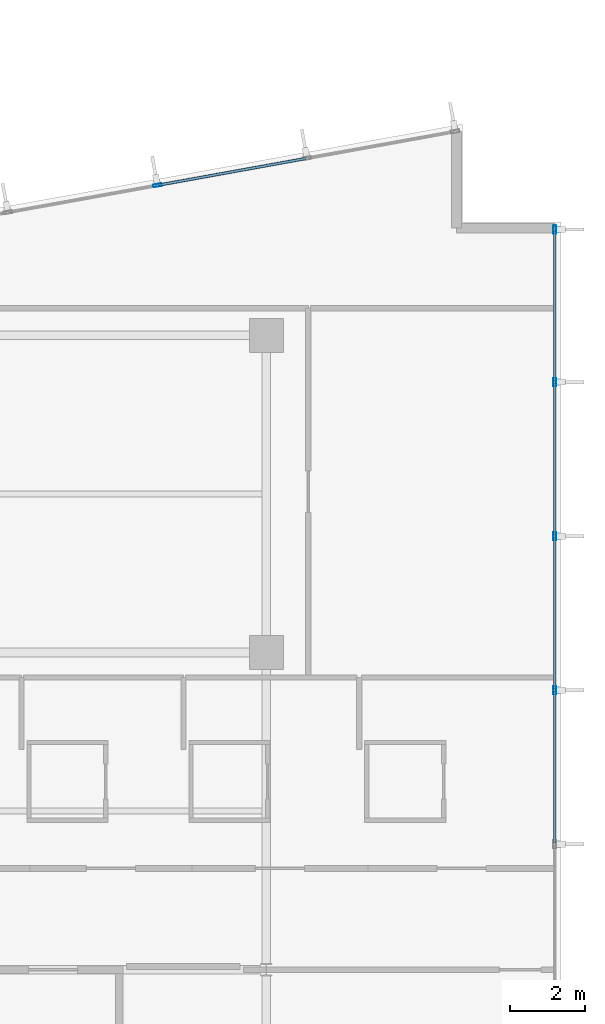
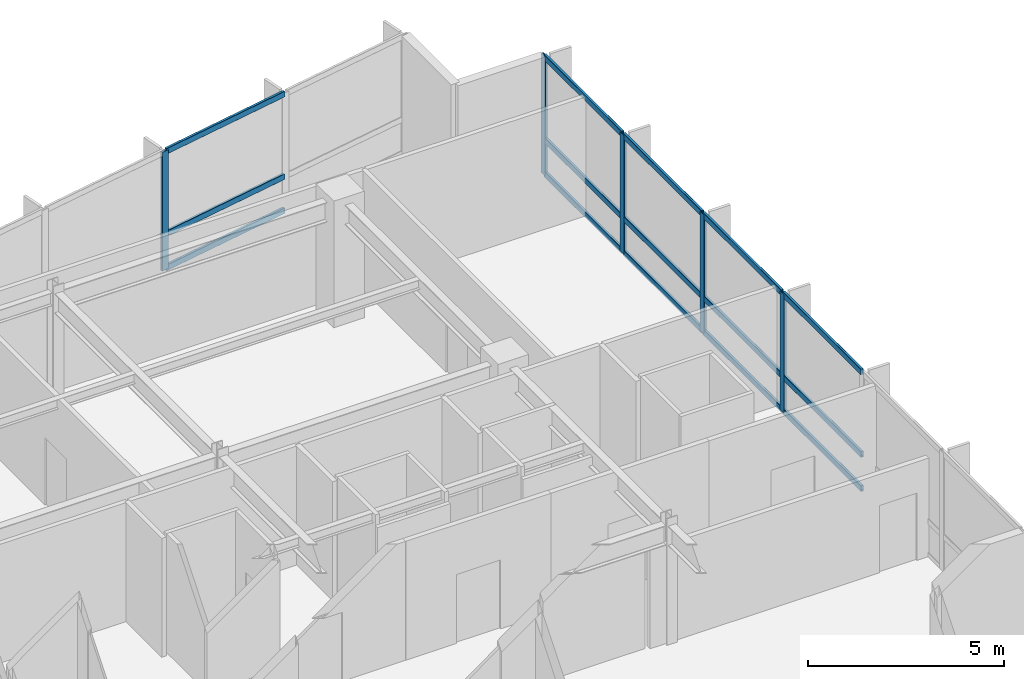
# One storey, part 8 of 20: 20 members, 2 elements without a shape of their own.
"""IFC4 building model written with IfcOpenShell, lengths in metres."""

from ifc_helpers import new_model, si_unit, direction, frame, origin, origin_2d, place, context, subcontext, project, spatial, hollow_rectangle, extrude, material, layer, layer_set, material_profile, profile_set, type_object, element, aggregate, save


model = new_model("IFC4")

# Units and contexts
model_context = context("Model", 3, precision=1e-05, world=origin(), true_north=direction((0.0, 1.0)))
body_context = subcontext(model_context, "Body", "Model", "MODEL_VIEW")
ifc_project = project(units=[si_unit("LENGTHUNIT", "METRE"), si_unit("AREAUNIT", "SQUARE_METRE"), si_unit("VOLUMEUNIT", "CUBIC_METRE"), si_unit("PLANEANGLEUNIT", "RADIAN"), si_unit("MASSUNIT", "GRAM", prefix="KILO")], contexts=[model_context])

# Site, building, storey
site_placement = place(None, origin())
site = spatial("IfcSite", under=ifc_project, at=site_placement, CompositionType="ELEMENT")
building_placement = place(site_placement, origin())
building = spatial("IfcBuilding", under=site, at=building_placement, Name="Varnakote Quay Hospital", CompositionType="ELEMENT")
storey_placement = place(building_placement, frame((0.0, 0.0, 81.75)))
storey = spatial("IfcBuildingStorey", under=building, at=storey_placement, Name="L20", CompositionType="ELEMENT", Elevation=81.75)

# Curtain wall, members
ifc_material_1 = material(Name="Anodised aluminium 6063-T6 Bronze", Category="aluminium")
ifc_layer = layer(ifc_material_1, 0.18994140625)
ifc_layer_set = layer_set([ifc_layer], Name="Anodised aluminium 6063-T6 Bronze")
curtain_wall_type = type_object("IfcCurtainWallType", Name="CW-SYS-2", PredefinedType="NOTDEFINED", material=ifc_layer_set)
curtain_wall_1_placement = place(storey_placement, origin())
curtain_wall_1 = element("IfcCurtainWall", 1, at=curtain_wall_1_placement, inside=storey, type_object=curtain_wall_type, Name="L20 Unitised Bronze Curtain Wall 1", PredefinedType="NOTDEFINED")
ifc_material_2 = material(Name="Anodised aluminium 6063-T6 Bronze", Category="aluminium")
ifc_material_profile_1 = material_profile(ifc_material_2, hollow_rectangle(XDim=0.074951171875, YDim=0.219970703125, WallThickness=0.00439453125, InnerFilletRadius=0.00439453125, OuterFilletRadius=0.009033203125, at=origin_2d()), Name="CW-MULL-220x75")
ifc_profile_set_1 = profile_set([ifc_material_profile_1], Name="Anodised aluminium 6063-T6 Bronze")
member_type_1 = type_object("IfcMemberType", Name="CW-MULL-220x75", PredefinedType="MULLION", material=ifc_profile_set_1)
member_1_placement = place(storey_placement, frame((58.0400390625, 19.39990234375, 0.0), z_axis=(0.0, 0.0, 1.0), x_axis=(-1.0, 0.0, 0.0)))
member_1 = element("IfcMember", 2, at=member_1_placement, type_object=member_type_1, Name="-2-L20-1 mullion 4", PredefinedType="MULLION", context=body_context, shape_type="SweptSolid", body=[
    extrude(hollow_rectangle(XDim=0.074951171875, YDim=0.219970703125, WallThickness=0.00439453125, InnerFilletRadius=0.00439453125, OuterFilletRadius=0.009033203125, at=origin_2d()), origin(), (0.0, 0.0, 1.0), 3.7099609375),
])
member_2_placement = place(storey_placement, frame((58.0400390625, 23.47998046875, 0.0), z_axis=(0.0, 0.0, 1.0), x_axis=(-1.0, 0.0, 0.0)))
member_2 = element("IfcMember", 3, at=member_2_placement, type_object=member_type_1, Name="-2-L20-1 mullion 5", PredefinedType="MULLION", context=body_context, shape_type="SweptSolid", body=[
    extrude(hollow_rectangle(XDim=0.074951171875, YDim=0.219970703125, WallThickness=0.00439453125, InnerFilletRadius=0.00439453125, OuterFilletRadius=0.009033203125, at=origin_2d()), origin(), (0.0, 0.0, 1.0), 3.7099609375),
])
member_3_placement = place(storey_placement, frame((58.0400390625, 27.56005859375, 0.0), z_axis=(0.0, 0.0, 1.0), x_axis=(-1.0, 0.0, 0.0)))
member_3 = element("IfcMember", 4, at=member_3_placement, type_object=member_type_1, Name="-2-L20-1 mullion 6", PredefinedType="MULLION", context=body_context, shape_type="SweptSolid", body=[
    extrude(hollow_rectangle(XDim=0.074951171875, YDim=0.219970703125, WallThickness=0.00439453125, InnerFilletRadius=0.00439453125, OuterFilletRadius=0.009033203125, at=origin_2d()), origin(), (0.0, 0.0, 1.0), 3.7099609375),
])
member_4_placement = place(storey_placement, frame((58.0400390625, 31.6025390625, 0.0), z_axis=(0.0, 0.0, 1.0), x_axis=(-1.0, 0.0, 0.0)))
member_4 = element("IfcMember", 5, at=member_4_placement, type_object=member_type_1, Name="-2-L20-1 mullion 7", PredefinedType="MULLION", context=body_context, shape_type="SweptSolid", body=[
    extrude(hollow_rectangle(XDim=0.074951171875, YDim=0.219970703125, WallThickness=0.00439453125, InnerFilletRadius=0.00439453125, OuterFilletRadius=0.009033203125, at=origin_2d()), origin(), (0.0, 0.0, 1.0), 3.7099609375),
])

# Curtain wall, member
curtain_wall_2_placement = place(storey_placement, origin())
curtain_wall_2 = element("IfcCurtainWall", 6, at=curtain_wall_2_placement, inside=storey, type_object=curtain_wall_type, Name="L20 Unitised Bronze Curtain Wall 2", PredefinedType="NOTDEFINED")
member_5_placement = place(storey_placement, frame((47.514892578125, 32.776123046875, 0.0), z_axis=(0.0, 0.0, 1.0), x_axis=(0.177846199098, -0.984058295766, 0.0)))
member_5 = element("IfcMember", 7, at=member_5_placement, type_object=member_type_1, Name="-2-L20-2 mullion 3", PredefinedType="MULLION", context=body_context, shape_type="SweptSolid", body=[
    extrude(hollow_rectangle(XDim=0.074951171875, YDim=0.219970703125, WallThickness=0.00439453125, InnerFilletRadius=0.00439453125, OuterFilletRadius=0.009033203125, at=origin_2d()), origin(), (0.0, 0.0, 1.0), 3.7099609375),
])

# Member
ifc_material_3 = material(Name="Anodised aluminium 6063-T6 Bronze", Category="aluminium")
ifc_material_profile_2 = material_profile(ifc_material_3, hollow_rectangle(XDim=0.074951171875, YDim=0.179931640625, WallThickness=0.004150390625, InnerFilletRadius=0.004150390625, OuterFilletRadius=0.00830078125, at=origin_2d()), Name="CW-TRAN-180x75")
ifc_profile_set_2 = profile_set([ifc_material_profile_2], Name="Anodised aluminium 6063-T6 Bronze")
member_type_2 = type_object("IfcMemberType", Name="CW-TRAN-180x75", PredefinedType="USERDEFINED", material=ifc_profile_set_2)
member_6_placement = place(storey_placement, frame((58.0400390625, 15.357421875, 0.03759765625), z_axis=(0.0, 1.0, 0.0), x_axis=(-1.0, 0.0, 0.0)))
member_6 = element("IfcMember", 8, at=member_6_placement, type_object=member_type_2, Name="-2-L20-1 transom 3.1", ObjectType="TRANSOM", PredefinedType="USERDEFINED", context=body_context, shape_type="SweptSolid", body=[
    extrude(hollow_rectangle(XDim=0.074951171875, YDim=0.179931640625, WallThickness=0.004150390625, InnerFilletRadius=0.004150390625, OuterFilletRadius=0.00830078125, at=origin_2d()), origin(), (0.0, 0.0, 1.0), 4.005126953125),
])

member_7_placement = place(storey_placement, frame((58.0400390625, 15.357421875, 1.10009765625), z_axis=(0.0, 1.0, 0.0), x_axis=(-1.0, 0.0, 0.0)))
member_7 = element("IfcMember", 9, at=member_7_placement, type_object=member_type_2, Name="-2-L20-1 transom 3.2", ObjectType="TRANSOM", PredefinedType="USERDEFINED", context=body_context, shape_type="SweptSolid", body=[
    extrude(hollow_rectangle(XDim=0.074951171875, YDim=0.179931640625, WallThickness=0.004150390625, InnerFilletRadius=0.004150390625, OuterFilletRadius=0.00830078125, at=origin_2d()), origin(), (0.0, 0.0, 1.0), 4.005126953125),
])

member_8_placement = place(storey_placement, frame((58.0400390625, 15.357421875, 3.672607421875), z_axis=(0.0, 1.0, 0.0), x_axis=(-1.0, 0.0, 0.0)))
member_8 = element("IfcMember", 10, at=member_8_placement, type_object=member_type_2, Name="-2-L20-1 transom 3.3", ObjectType="TRANSOM", PredefinedType="USERDEFINED", context=body_context, shape_type="SweptSolid", body=[
    extrude(hollow_rectangle(XDim=0.074951171875, YDim=0.179931640625, WallThickness=0.004150390625, InnerFilletRadius=0.004150390625, OuterFilletRadius=0.00830078125, at=origin_2d()), origin(), (0.0, 0.0, 1.0), 4.005126953125),
])

member_9_placement = place(storey_placement, frame((58.0400390625, 19.4375, 0.03759765625), z_axis=(0.0, 1.0, 0.0), x_axis=(-1.0, 0.0, 0.0)))
member_9 = element("IfcMember", 11, at=member_9_placement, type_object=member_type_2, Name="-2-L20-1 transom 4.1", ObjectType="TRANSOM", PredefinedType="USERDEFINED", context=body_context, shape_type="SweptSolid", body=[
    extrude(hollow_rectangle(XDim=0.074951171875, YDim=0.179931640625, WallThickness=0.004150390625, InnerFilletRadius=0.004150390625, OuterFilletRadius=0.00830078125, at=origin_2d()), origin(), (0.0, 0.0, 1.0), 4.0048828125),
])

member_10_placement = place(storey_placement, frame((58.0400390625, 19.4375, 1.10009765625), z_axis=(0.0, 1.0, 0.0), x_axis=(-1.0, 0.0, 0.0)))
member_10 = element("IfcMember", 12, at=member_10_placement, type_object=member_type_2, Name="-2-L20-1 transom 4.2", ObjectType="TRANSOM", PredefinedType="USERDEFINED", context=body_context, shape_type="SweptSolid", body=[
    extrude(hollow_rectangle(XDim=0.074951171875, YDim=0.179931640625, WallThickness=0.004150390625, InnerFilletRadius=0.004150390625, OuterFilletRadius=0.00830078125, at=origin_2d()), origin(), (0.0, 0.0, 1.0), 4.0048828125),
])

member_11_placement = place(storey_placement, frame((58.0400390625, 19.4375, 3.672607421875), z_axis=(0.0, 1.0, 0.0), x_axis=(-1.0, 0.0, 0.0)))
member_11 = element("IfcMember", 13, at=member_11_placement, type_object=member_type_2, Name="-2-L20-1 transom 4.3", ObjectType="TRANSOM", PredefinedType="USERDEFINED", context=body_context, shape_type="SweptSolid", body=[
    extrude(hollow_rectangle(XDim=0.074951171875, YDim=0.179931640625, WallThickness=0.004150390625, InnerFilletRadius=0.004150390625, OuterFilletRadius=0.00830078125, at=origin_2d()), origin(), (0.0, 0.0, 1.0), 4.0048828125),
])

member_12_placement = place(storey_placement, frame((58.0400390625, 23.517578125, 0.03759765625), z_axis=(0.0, 1.0, 0.0), x_axis=(-1.0, 0.0, 0.0)))
member_12 = element("IfcMember", 14, at=member_12_placement, type_object=member_type_2, Name="-2-L20-1 transom 5.1", ObjectType="TRANSOM", PredefinedType="USERDEFINED", context=body_context, shape_type="SweptSolid", body=[
    extrude(hollow_rectangle(XDim=0.074951171875, YDim=0.179931640625, WallThickness=0.004150390625, InnerFilletRadius=0.004150390625, OuterFilletRadius=0.00830078125, at=origin_2d()), origin(), (0.0, 0.0, 1.0), 4.0048828125),
])

member_13_placement = place(storey_placement, frame((58.0400390625, 23.517578125, 1.10009765625), z_axis=(0.0, 1.0, 0.0), x_axis=(-1.0, 0.0, 0.0)))
member_13 = element("IfcMember", 15, at=member_13_placement, type_object=member_type_2, Name="-2-L20-1 transom 5.2", ObjectType="TRANSOM", PredefinedType="USERDEFINED", context=body_context, shape_type="SweptSolid", body=[
    extrude(hollow_rectangle(XDim=0.074951171875, YDim=0.179931640625, WallThickness=0.004150390625, InnerFilletRadius=0.004150390625, OuterFilletRadius=0.00830078125, at=origin_2d()), origin(), (0.0, 0.0, 1.0), 4.0048828125),
])

member_14_placement = place(storey_placement, frame((58.0400390625, 23.517578125, 3.672607421875), z_axis=(0.0, 1.0, 0.0), x_axis=(-1.0, 0.0, 0.0)))
member_14 = element("IfcMember", 16, at=member_14_placement, type_object=member_type_2, Name="-2-L20-1 transom 5.3", ObjectType="TRANSOM", PredefinedType="USERDEFINED", context=body_context, shape_type="SweptSolid", body=[
    extrude(hollow_rectangle(XDim=0.074951171875, YDim=0.179931640625, WallThickness=0.004150390625, InnerFilletRadius=0.004150390625, OuterFilletRadius=0.00830078125, at=origin_2d()), origin(), (0.0, 0.0, 1.0), 4.0048828125),
])

member_15_placement = place(storey_placement, frame((58.0400390625, 27.597412109375, 0.03759765625), z_axis=(0.0, 1.0, 0.0), x_axis=(-1.0, 0.0, 0.0)))
member_15 = element("IfcMember", 17, at=member_15_placement, type_object=member_type_2, Name="-2-L20-1 transom 6.1", ObjectType="TRANSOM", PredefinedType="USERDEFINED", context=body_context, shape_type="SweptSolid", body=[
    extrude(hollow_rectangle(XDim=0.074951171875, YDim=0.179931640625, WallThickness=0.004150390625, InnerFilletRadius=0.004150390625, OuterFilletRadius=0.00830078125, at=origin_2d()), origin(), (0.0, 0.0, 1.0), 3.967529296875),
])

member_16_placement = place(storey_placement, frame((58.0400390625, 27.597412109375, 1.10009765625), z_axis=(0.0, 1.0, 0.0), x_axis=(-1.0, 0.0, 0.0)))
member_16 = element("IfcMember", 18, at=member_16_placement, type_object=member_type_2, Name="-2-L20-1 transom 6.2", ObjectType="TRANSOM", PredefinedType="USERDEFINED", context=body_context, shape_type="SweptSolid", body=[
    extrude(hollow_rectangle(XDim=0.074951171875, YDim=0.179931640625, WallThickness=0.004150390625, InnerFilletRadius=0.004150390625, OuterFilletRadius=0.00830078125, at=origin_2d()), origin(), (0.0, 0.0, 1.0), 3.967529296875),
])

member_17_placement = place(storey_placement, frame((58.0400390625, 27.597412109375, 3.672607421875), z_axis=(0.0, 1.0, 0.0), x_axis=(-1.0, 0.0, 0.0)))
member_17 = element("IfcMember", 19, at=member_17_placement, type_object=member_type_2, Name="-2-L20-1 transom 6.3", ObjectType="TRANSOM", PredefinedType="USERDEFINED", context=body_context, shape_type="SweptSolid", body=[
    extrude(hollow_rectangle(XDim=0.074951171875, YDim=0.179931640625, WallThickness=0.004150390625, InnerFilletRadius=0.004150390625, OuterFilletRadius=0.00830078125, at=origin_2d()), origin(), (0.0, 0.0, 1.0), 3.967529296875),
])

aggregate(curtain_wall_1, [member_1, member_2, member_3, member_4, member_6, member_7, member_8, member_9, member_10, member_11, member_12, member_13, member_14, member_15, member_16, member_17])

member_18_placement = place(storey_placement, frame((51.4404296875, 33.485595703125, 0.03759765625), z_axis=(-0.984065046829, -0.177808840079, 0.0), x_axis=(0.177808840079, -0.984065046829, 0.0)))
member_18 = element("IfcMember", 20, at=member_18_placement, type_object=member_type_2, Name="-2-L20-2 transom 2.1", ObjectType="TRANSOM", PredefinedType="USERDEFINED", context=body_context, shape_type="SweptSolid", body=[
    extrude(hollow_rectangle(XDim=0.074951171875, YDim=0.179931640625, WallThickness=0.004150390625, InnerFilletRadius=0.004150390625, OuterFilletRadius=0.00830078125, at=origin_2d()), origin(), (0.0, 0.0, 1.0), 3.95166015625),
])

member_19_placement = place(storey_placement, frame((51.4404296875, 33.485595703125, 1.10009765625), z_axis=(-0.984065046829, -0.177808840079, 0.0), x_axis=(0.177808840079, -0.984065046829, 0.0)))
member_19 = element("IfcMember", 21, at=member_19_placement, type_object=member_type_2, Name="-2-L20-2 transom 2.2", ObjectType="TRANSOM", PredefinedType="USERDEFINED", context=body_context, shape_type="SweptSolid", body=[
    extrude(hollow_rectangle(XDim=0.074951171875, YDim=0.179931640625, WallThickness=0.004150390625, InnerFilletRadius=0.004150390625, OuterFilletRadius=0.00830078125, at=origin_2d()), origin(), (0.0, 0.0, 1.0), 3.95166015625),
])

member_20_placement = place(storey_placement, frame((51.4404296875, 33.485595703125, 3.672607421875), z_axis=(-0.984065046829, -0.177808840079, 0.0), x_axis=(0.177808840079, -0.984065046829, 0.0)))
member_20 = element("IfcMember", 22, at=member_20_placement, type_object=member_type_2, Name="-2-L20-2 transom 2.3", ObjectType="TRANSOM", PredefinedType="USERDEFINED", context=body_context, shape_type="SweptSolid", body=[
    extrude(hollow_rectangle(XDim=0.074951171875, YDim=0.179931640625, WallThickness=0.004150390625, InnerFilletRadius=0.004150390625, OuterFilletRadius=0.00830078125, at=origin_2d()), origin(), (0.0, 0.0, 1.0), 3.95166015625),
])

aggregate(curtain_wall_2, [member_5, member_18, member_19, member_20])

save(model, "model.ifc")
